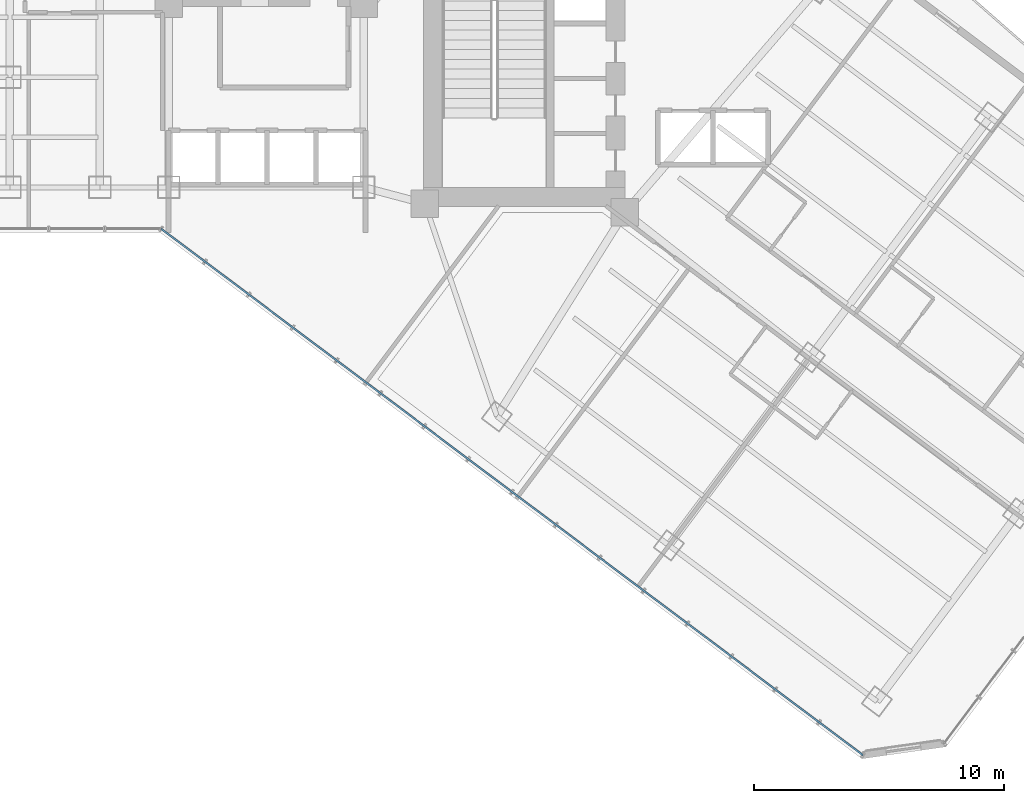
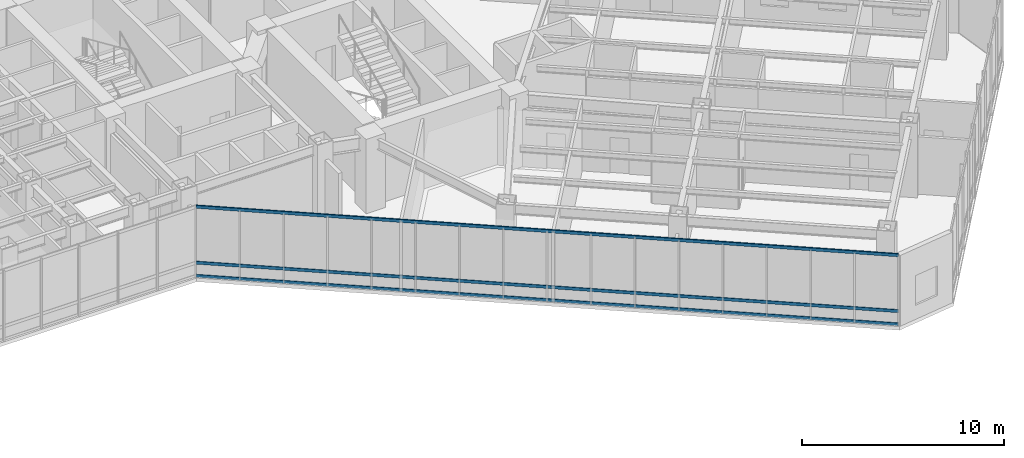
# One storey, part 6 of 27: 3 members, 1 element without a shape of its own.
"""IFC4 building model written with IfcOpenShell, lengths in metres."""

from ifc_helpers import new_model, si_unit, direction, frame, origin, origin_2d, place, context, subcontext, project, spatial, hollow_rectangle, extrude, material, layer, layer_set, material_profile, profile_set, type_object, element, aggregate, save


model = new_model("IFC4")

# Units and contexts
model_context = context("Model", 3, precision=1e-05, world=origin(), true_north=direction((0.0, 1.0)))
body_context = subcontext(model_context, "Body", "Model", "MODEL_VIEW")
ifc_project = project(units=[si_unit("LENGTHUNIT", "METRE"), si_unit("AREAUNIT", "SQUARE_METRE"), si_unit("VOLUMEUNIT", "CUBIC_METRE"), si_unit("PLANEANGLEUNIT", "RADIAN"), si_unit("MASSUNIT", "GRAM", prefix="KILO")], contexts=[model_context])

# Site, building, storey
site_placement = place(None, origin())
site = spatial("IfcSite", under=ifc_project, at=site_placement, CompositionType="ELEMENT")
building_placement = place(site_placement, origin())
building = spatial("IfcBuilding", under=site, at=building_placement, Name="Hatsunagi Terrace Concourse", CompositionType="ELEMENT")
storey_placement = place(building_placement, frame((0.0, 0.0, 70.10009765625)))
storey = spatial("IfcBuildingStorey", under=building, at=storey_placement, Name="L18", CompositionType="ELEMENT", Elevation=70.10009765625)

# Curtain wall, members
ifc_material_1 = material(Name="Anodised Aluminium Alloy 6063-T5", Category="aluminium")
ifc_layer = layer(ifc_material_1, 0.199951171875)
ifc_layer_set = layer_set([ifc_layer], Name="SkyLobbyAtrium_CW05")
curtain_wall_type = type_object("IfcCurtainWallType", Name="SkyLobbyAtrium_CW05", PredefinedType="NOTDEFINED", material=ifc_layer_set)
curtain_wall_placement = place(storey_placement, origin())
curtain_wall = element("IfcCurtainWall", 1, at=curtain_wall_placement, inside=storey, type_object=curtain_wall_type, Name="Unitised Curtain Wall CW-05 CW-L18-05", PredefinedType="NOTDEFINED")
ifc_material_2 = material(Name="Anodised Aluminium Alloy 6063-T5", Category="aluminium")
ifc_material_profile = material_profile(ifc_material_2, hollow_rectangle(XDim=0.070068359375, YDim=0.179931640625, WallThickness=0.00390625, at=origin_2d()), Name="ALU-TRN-180x70x4")
ifc_profile_set = profile_set([ifc_material_profile], Name="Anodised Aluminium Alloy 6063-T5")
member_type = type_object("IfcMemberType", Name="CurtainWallTransom_Heavy_180x70", PredefinedType="USERDEFINED", material=ifc_profile_set)
member_1_placement = place(storey_placement, frame((53.318115234375, 2.487060546875, 0.0498046875), z_axis=(-0.800004174678, 0.599994433723, 0.0), x_axis=(-0.599994433723, -0.800004174678, 0.0)))
member_1 = element("IfcMember", 2, at=member_1_placement, type_object=member_type, Name="Curtain Wall Transom TRN-01", ObjectType="TRANSOM", PredefinedType="USERDEFINED", context=body_context, shape_type="SweptSolid", body=[
    extrude(hollow_rectangle(XDim=0.070068359375, YDim=0.179931640625, WallThickness=0.00390625, at=origin_2d()), origin(), (0.0, 0.0, 1.0), 35.088623046875),
])
member_2_placement = place(storey_placement, frame((53.318115234375, 2.487060546875, 0.849853515625), z_axis=(-0.800004174678, 0.599994433723, 0.0), x_axis=(-0.599994433723, -0.800004174678, 0.0)))
member_2 = element("IfcMember", 3, at=member_2_placement, type_object=member_type, Name="Curtain Wall Transom TRN-01", ObjectType="TRANSOM", PredefinedType="USERDEFINED", context=body_context, shape_type="SweptSolid", body=[
    extrude(hollow_rectangle(XDim=0.070068359375, YDim=0.179931640625, WallThickness=0.00390625, at=origin_2d()), origin(), (0.0, 0.0, 1.0), 35.088623046875),
])
member_3_placement = place(storey_placement, frame((53.318115234375, 2.487060546875, 4.22998046875), z_axis=(-0.800004174678, 0.599994433723, 0.0), x_axis=(-0.599994433723, -0.800004174678, 0.0)))
member_3 = element("IfcMember", 4, at=member_3_placement, type_object=member_type, Name="Curtain Wall Transom TRN-01", ObjectType="TRANSOM", PredefinedType="USERDEFINED", context=body_context, shape_type="SweptSolid", body=[
    extrude(hollow_rectangle(XDim=0.070068359375, YDim=0.179931640625, WallThickness=0.00390625, at=origin_2d()), origin(), (0.0, 0.0, 1.0), 35.088623046875),
])
aggregate(curtain_wall, [member_1, member_2, member_3])

save(model, "model.ifc")
